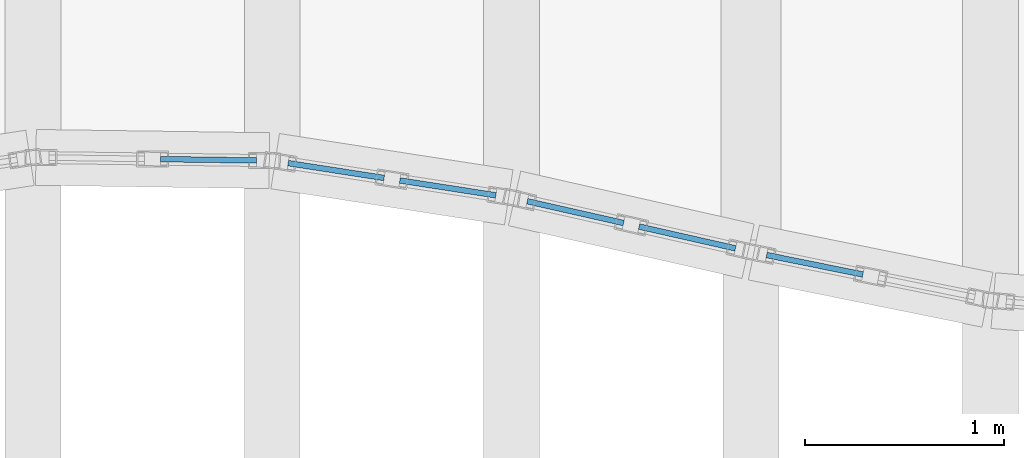
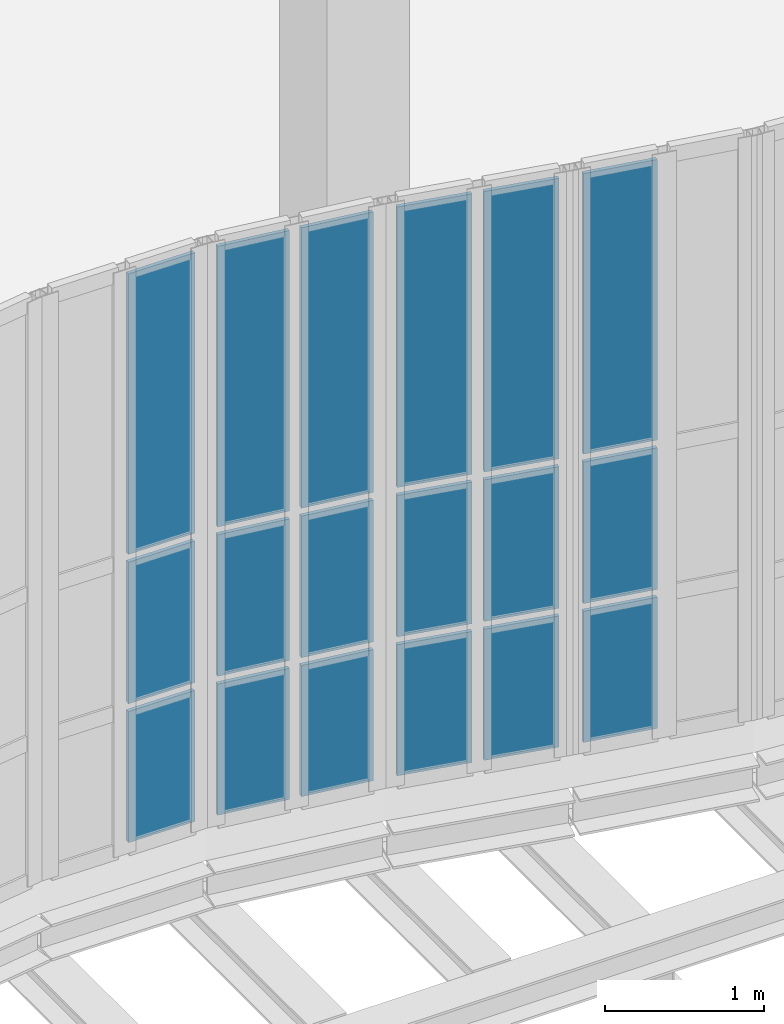
# One storey, part 76 of 105: 18 plates, 4 elements without a shape of their own.
"""IFC4 building model written with IfcOpenShell, lengths in metres."""

from ifc_helpers import new_model, si_unit, direction, frame, origin, origin_2d, place, context, subcontext, project, spatial, rectangle, extrude, material, layer, layer_set, type_object, element, aggregate, save


model = new_model("IFC4")

# Units and contexts
model_context = context("Model", 3, precision=1e-05, world=origin(), true_north=direction((0.0, 1.0)))
body_context = subcontext(model_context, "Body", "Model", "MODEL_VIEW")
ifc_project = project(units=[si_unit("LENGTHUNIT", "METRE"), si_unit("AREAUNIT", "SQUARE_METRE"), si_unit("VOLUMEUNIT", "CUBIC_METRE"), si_unit("PLANEANGLEUNIT", "RADIAN"), si_unit("MASSUNIT", "GRAM", prefix="KILO"), si_unit("THERMODYNAMICTEMPERATUREUNIT", "KELVIN"), si_unit("POWERUNIT", "WATT")], contexts=[model_context])

# Site, building, storey
site_placement = place(None, origin())
site = spatial("IfcSite", under=ifc_project, at=site_placement, CompositionType="ELEMENT")
building_placement = place(site_placement, origin())
building = spatial("IfcBuilding", under=site, at=building_placement, Name="Kaldorven Railside Theatre", CompositionType="ELEMENT")
storey_placement = place(building_placement, frame((0.0, 0.0, 9.89990234375)))
storey = spatial("IfcBuildingStorey", under=building, at=storey_placement, Name="L02", CompositionType="ELEMENT", Elevation=9.89990234375)

# Curtain wall, plates
ifc_material = material(Name="Low-E laminated solar-control glass", Category="glass")
ifc_layer_1 = layer(ifc_material, 0.159912109375, Name="Low-E laminated solar-control glass")
ifc_layer_set_1 = layer_set([ifc_layer_1], Name="Low-E laminated solar-control glass")
curtain_wall_type_1 = type_object("IfcCurtainWallType", Name="CWT-03", PredefinedType="USERDEFINED", material=ifc_layer_set_1)
curtain_wall_1_placement = place(storey_placement, origin())
curtain_wall_1 = element("IfcCurtainWall", 1, at=curtain_wall_1_placement, inside=storey, type_object=curtain_wall_type_1, Name="Sinusoidal Fluted Curtain Wall CW-L02-S40", ObjectType="FLUTED GLAZING", PredefinedType="USERDEFINED")
ifc_layer_2 = layer(ifc_material, 0.028076171875, Name="Low-E laminated solar-control glass")
ifc_layer_set_2 = layer_set([ifc_layer_2], Name="Low-E laminated solar-control glass")
plate_type = type_object("IfcPlateType", Name="CWP-GLZ28", PredefinedType="CURTAIN_PANEL", material=ifc_layer_set_2)
plate_1_placement = place(storey_placement, frame((84.47998046875, 16.80908203125, 0.06005859375), z_axis=(0.0, 0.0, 1.0), x_axis=(0.999904333174, -0.013832009936, 0.0)))
plate_1 = element("IfcPlate", 2, at=plate_1_placement, type_object=plate_type, Name="CW-L02-S40 panel 2.1", PredefinedType="CURTAIN_PANEL", context=body_context, shape_type="SweptSolid", body=[
    extrude(rectangle(XDim=0.47998046875, YDim=0.028076171875, at=origin_2d()), origin(), (0.0, 0.0, 1.0), 1.010009765625),
])
plate_2_placement = place(storey_placement, frame((84.47998046875, 16.80908203125, 1.1298828125), z_axis=(0.0, 0.0, 1.0), x_axis=(0.999904333174, -0.013832009936, 0.0)))
plate_2 = element("IfcPlate", 3, at=plate_2_placement, type_object=plate_type, Name="CW-L02-S40 panel 2.2", PredefinedType="CURTAIN_PANEL", context=body_context, shape_type="SweptSolid", body=[
    extrude(rectangle(XDim=0.47998046875, YDim=0.028076171875, at=origin_2d()), origin(), (0.0, 0.0, 1.0), 1.090087890625),
])
plate_3_placement = place(storey_placement, frame((84.47998046875, 16.80908203125, 2.2802734375), z_axis=(0.0, 0.0, 1.0), x_axis=(0.999904333174, -0.013832009936, 0.0)))
plate_3 = element("IfcPlate", 4, at=plate_3_placement, type_object=plate_type, Name="CW-L02-S40 panel 2.3", PredefinedType="CURTAIN_PANEL", context=body_context, shape_type="SweptSolid", body=[
    extrude(rectangle(XDim=0.47998046875, YDim=0.028076171875, at=origin_2d()), origin(), (0.0, 0.0, 1.0), 2.159912109375),
])
aggregate(curtain_wall_1, [plate_1, plate_2, plate_3])

ifc_layer_3 = layer(ifc_material, 0.159912109375, Name="Low-E laminated solar-control glass")
ifc_layer_set_3 = layer_set([ifc_layer_3], Name="Low-E laminated solar-control glass")
curtain_wall_type_2 = type_object("IfcCurtainWallType", Name="CWT-07", PredefinedType="USERDEFINED", material=ifc_layer_set_3)
curtain_wall_2_placement = place(storey_placement, origin())
curtain_wall_2 = element("IfcCurtainWall", 5, at=curtain_wall_2_placement, inside=storey, type_object=curtain_wall_type_2, Name="Sinusoidal Fluted Curtain Wall CW-L02-S41", ObjectType="FLUTED GLAZING", PredefinedType="USERDEFINED")
plate_4_placement = place(storey_placement, frame((85.119873046875, 16.755126953125, 0.06005859375), z_axis=(0.0, 0.0, 1.0), x_axis=(0.988224622989, -0.153010112468, 0.0)))
plate_4 = element("IfcPlate", 6, at=plate_4_placement, type_object=plate_type, Name="CW-L02-S41 panel 1.1", PredefinedType="CURTAIN_PANEL", context=body_context, shape_type="SweptSolid", body=[
    extrude(rectangle(XDim=0.487060546875, YDim=0.028076171875, at=origin_2d()), origin(), (0.0, 0.0, 1.0), 1.010009765625),
])
plate_5_placement = place(storey_placement, frame((85.119873046875, 16.755126953125, 1.1298828125), z_axis=(0.0, 0.0, 1.0), x_axis=(0.988224622989, -0.153010112468, 0.0)))
plate_5 = element("IfcPlate", 7, at=plate_5_placement, type_object=plate_type, Name="CW-L02-S41 panel 1.2", PredefinedType="CURTAIN_PANEL", context=body_context, shape_type="SweptSolid", body=[
    extrude(rectangle(XDim=0.487060546875, YDim=0.028076171875, at=origin_2d()), origin(), (0.0, 0.0, 1.0), 1.090087890625),
])
plate_6_placement = place(storey_placement, frame((85.119873046875, 16.755126953125, 2.2802734375), z_axis=(0.0, 0.0, 1.0), x_axis=(0.988224622989, -0.153010112468, 0.0)))
plate_6 = element("IfcPlate", 8, at=plate_6_placement, type_object=plate_type, Name="CW-L02-S41 panel 1.3", PredefinedType="CURTAIN_PANEL", context=body_context, shape_type="SweptSolid", body=[
    extrude(rectangle(XDim=0.487060546875, YDim=0.028076171875, at=origin_2d()), origin(), (0.0, 0.0, 1.0), 2.159912109375),
])
plate_7_placement = place(storey_placement, frame((85.68017578125, 16.668212890625, 0.06005859375), z_axis=(0.0, 0.0, 1.0), x_axis=(0.988224622989, -0.153010112468, 0.0)))
plate_7 = element("IfcPlate", 9, at=plate_7_placement, type_object=plate_type, Name="CW-L02-S41 panel 2.1", PredefinedType="CURTAIN_PANEL", context=body_context, shape_type="SweptSolid", body=[
    extrude(rectangle(XDim=0.487060546875, YDim=0.028076171875, at=origin_2d()), origin(), (0.0, 0.0, 1.0), 1.010009765625),
])
plate_8_placement = place(storey_placement, frame((85.68017578125, 16.668212890625, 1.1298828125), z_axis=(0.0, 0.0, 1.0), x_axis=(0.988224622989, -0.153010112468, 0.0)))
plate_8 = element("IfcPlate", 10, at=plate_8_placement, type_object=plate_type, Name="CW-L02-S41 panel 2.2", PredefinedType="CURTAIN_PANEL", context=body_context, shape_type="SweptSolid", body=[
    extrude(rectangle(XDim=0.487060546875, YDim=0.028076171875, at=origin_2d()), origin(), (0.0, 0.0, 1.0), 1.090087890625),
])
plate_9_placement = place(storey_placement, frame((85.68017578125, 16.668212890625, 2.2802734375), z_axis=(0.0, 0.0, 1.0), x_axis=(0.988224622989, -0.153010112468, 0.0)))
plate_9 = element("IfcPlate", 11, at=plate_9_placement, type_object=plate_type, Name="CW-L02-S41 panel 2.3", PredefinedType="CURTAIN_PANEL", context=body_context, shape_type="SweptSolid", body=[
    extrude(rectangle(XDim=0.487060546875, YDim=0.028076171875, at=origin_2d()), origin(), (0.0, 0.0, 1.0), 2.159912109375),
])
aggregate(curtain_wall_2, [plate_4, plate_5, plate_6, plate_7, plate_8, plate_9])

ifc_layer_4 = layer(ifc_material, 0.159912109375, Name="Low-E laminated solar-control glass")
ifc_layer_set_4 = layer_set([ifc_layer_4], Name="Low-E laminated solar-control glass")
curtain_wall_type_3 = type_object("IfcCurtainWallType", Name="CWT-02", PredefinedType="USERDEFINED", material=ifc_layer_set_4)
curtain_wall_3_placement = place(storey_placement, origin())
curtain_wall_3 = element("IfcCurtainWall", 12, at=curtain_wall_3_placement, inside=storey, type_object=curtain_wall_type_3, Name="Sinusoidal Fluted Curtain Wall CW-L02-S42", ObjectType="FLUTED GLAZING", PredefinedType="USERDEFINED")
plate_10_placement = place(storey_placement, frame((86.319580078125, 16.546630859375, 0.06005859375), z_axis=(0.0, 0.0, 1.0), x_axis=(0.975347967451, -0.220672477642, 0.0)))
plate_10 = element("IfcPlate", 13, at=plate_10_placement, type_object=plate_type, Name="CW-L02-S42 panel 1.1", PredefinedType="CURTAIN_PANEL", context=body_context, shape_type="SweptSolid", body=[
    extrude(rectangle(XDim=0.4951171875, YDim=0.028076171875, at=origin_2d()), origin(), (0.0, 0.0, 1.0), 1.010009765625),
])
plate_11_placement = place(storey_placement, frame((86.319580078125, 16.546630859375, 1.1298828125), z_axis=(0.0, 0.0, 1.0), x_axis=(0.975347967451, -0.220672477642, 0.0)))
plate_11 = element("IfcPlate", 14, at=plate_11_placement, type_object=plate_type, Name="CW-L02-S42 panel 1.2", PredefinedType="CURTAIN_PANEL", context=body_context, shape_type="SweptSolid", body=[
    extrude(rectangle(XDim=0.4951171875, YDim=0.028076171875, at=origin_2d()), origin(), (0.0, 0.0, 1.0), 1.090087890625),
])
plate_12_placement = place(storey_placement, frame((86.319580078125, 16.546630859375, 2.2802734375), z_axis=(0.0, 0.0, 1.0), x_axis=(0.975347967451, -0.220672477642, 0.0)))
plate_12 = element("IfcPlate", 15, at=plate_12_placement, type_object=plate_type, Name="CW-L02-S42 panel 1.3", PredefinedType="CURTAIN_PANEL", context=body_context, shape_type="SweptSolid", body=[
    extrude(rectangle(XDim=0.4951171875, YDim=0.028076171875, at=origin_2d()), origin(), (0.0, 0.0, 1.0), 2.159912109375),
])
plate_13_placement = place(storey_placement, frame((86.88037109375, 16.419677734375, 0.06005859375), z_axis=(0.0, 0.0, 1.0), x_axis=(0.975347967451, -0.220672477642, 0.0)))
plate_13 = element("IfcPlate", 16, at=plate_13_placement, type_object=plate_type, Name="CW-L02-S42 panel 2.1", PredefinedType="CURTAIN_PANEL", context=body_context, shape_type="SweptSolid", body=[
    extrude(rectangle(XDim=0.4951171875, YDim=0.028076171875, at=origin_2d()), origin(), (0.0, 0.0, 1.0), 1.010009765625),
])
plate_14_placement = place(storey_placement, frame((86.88037109375, 16.419677734375, 1.1298828125), z_axis=(0.0, 0.0, 1.0), x_axis=(0.975347967451, -0.220672477642, 0.0)))
plate_14 = element("IfcPlate", 17, at=plate_14_placement, type_object=plate_type, Name="CW-L02-S42 panel 2.2", PredefinedType="CURTAIN_PANEL", context=body_context, shape_type="SweptSolid", body=[
    extrude(rectangle(XDim=0.4951171875, YDim=0.028076171875, at=origin_2d()), origin(), (0.0, 0.0, 1.0), 1.090087890625),
])
plate_15_placement = place(storey_placement, frame((86.88037109375, 16.419677734375, 2.2802734375), z_axis=(0.0, 0.0, 1.0), x_axis=(0.975347967451, -0.220672477642, 0.0)))
plate_15 = element("IfcPlate", 18, at=plate_15_placement, type_object=plate_type, Name="CW-L02-S42 panel 2.3", PredefinedType="CURTAIN_PANEL", context=body_context, shape_type="SweptSolid", body=[
    extrude(rectangle(XDim=0.4951171875, YDim=0.028076171875, at=origin_2d()), origin(), (0.0, 0.0, 1.0), 2.159912109375),
])
aggregate(curtain_wall_3, [plate_10, plate_11, plate_12, plate_13, plate_14, plate_15])

curtain_wall_4_placement = place(storey_placement, origin())
curtain_wall_4 = element("IfcCurtainWall", 19, at=curtain_wall_4_placement, inside=storey, type_object=curtain_wall_type_2, Name="Sinusoidal Fluted Curtain Wall CW-L02-S43", ObjectType="FLUTED GLAZING", PredefinedType="USERDEFINED")
plate_16_placement = place(storey_placement, frame((87.51953125, 16.28271484375, 0.06005859375), z_axis=(0.0, 0.0, 1.0), x_axis=(0.980122525097, -0.198393134453, 0.0)))
plate_16 = element("IfcPlate", 20, at=plate_16_placement, type_object=plate_type, Name="CW-L02-S43 panel 1.1", PredefinedType="CURTAIN_PANEL", context=body_context, shape_type="SweptSolid", body=[
    extrude(rectangle(XDim=0.4921875, YDim=0.028076171875, at=origin_2d()), origin(), (0.0, 0.0, 1.0), 1.010009765625),
])
plate_17_placement = place(storey_placement, frame((87.51953125, 16.28271484375, 1.1298828125), z_axis=(0.0, 0.0, 1.0), x_axis=(0.980122525097, -0.198393134453, 0.0)))
plate_17 = element("IfcPlate", 21, at=plate_17_placement, type_object=plate_type, Name="CW-L02-S43 panel 1.2", PredefinedType="CURTAIN_PANEL", context=body_context, shape_type="SweptSolid", body=[
    extrude(rectangle(XDim=0.4921875, YDim=0.028076171875, at=origin_2d()), origin(), (0.0, 0.0, 1.0), 1.090087890625),
])
plate_18_placement = place(storey_placement, frame((87.51953125, 16.28271484375, 2.2802734375), z_axis=(0.0, 0.0, 1.0), x_axis=(0.980122525097, -0.198393134453, 0.0)))
plate_18 = element("IfcPlate", 22, at=plate_18_placement, type_object=plate_type, Name="CW-L02-S43 panel 1.3", PredefinedType="CURTAIN_PANEL", context=body_context, shape_type="SweptSolid", body=[
    extrude(rectangle(XDim=0.4921875, YDim=0.028076171875, at=origin_2d()), origin(), (0.0, 0.0, 1.0), 2.159912109375),
])
aggregate(curtain_wall_4, [plate_16, plate_17, plate_18])

save(model, "model.ifc")
